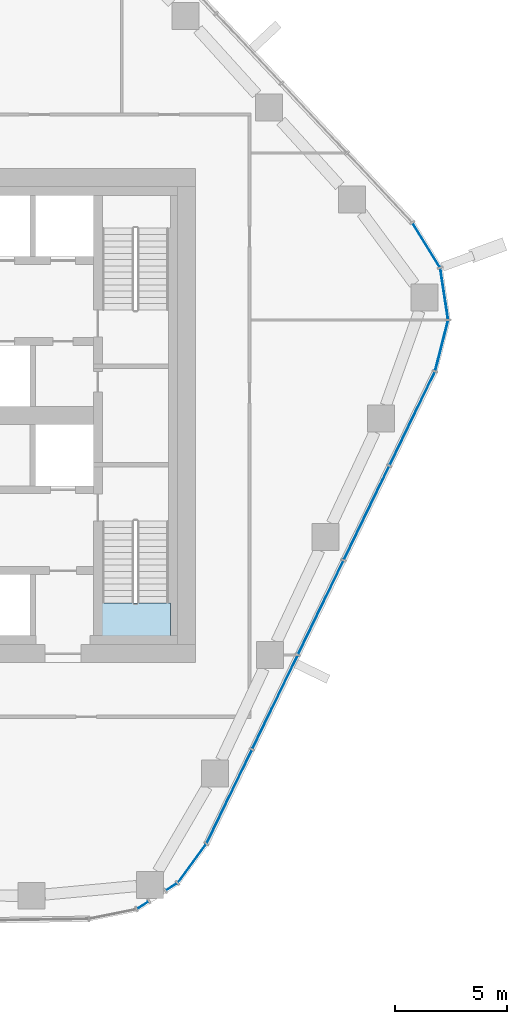
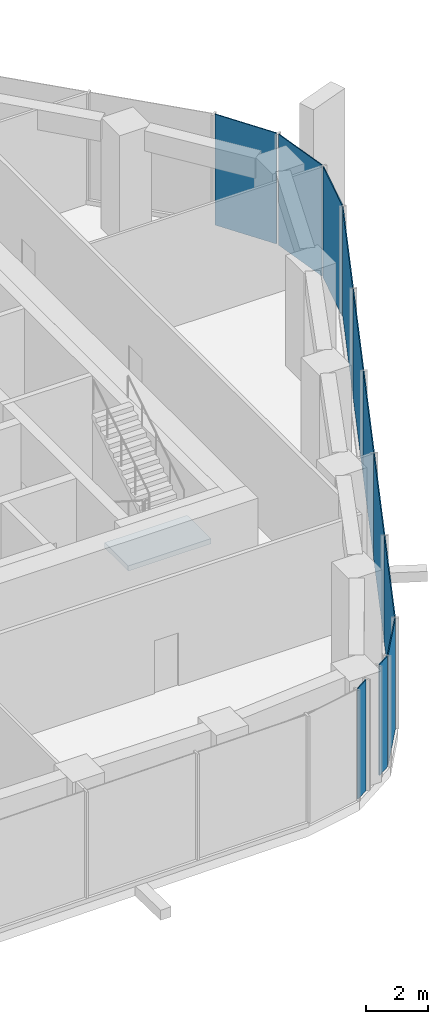
# One storey, part 8 of 16: 11 plates, 1 slab, 5 elements without a shape of their own.
"""IFC4 building model written with IfcOpenShell, lengths in metres."""

from ifc_helpers import new_model, si_unit, direction, frame, origin, origin_2d, place, context, subcontext, project, spatial, polyline, rectangle, outline, extrude, material, layer, layer_set, type_object, element, aggregate, save


model = new_model("IFC4")

# Units and contexts
model_context = context("Model", 3, precision=1e-05, world=origin(), true_north=direction((0.0, 1.0)))
body_context = subcontext(model_context, "Body", "Model", "MODEL_VIEW")
ifc_project = project(units=[si_unit("LENGTHUNIT", "METRE"), si_unit("AREAUNIT", "SQUARE_METRE"), si_unit("VOLUMEUNIT", "CUBIC_METRE"), si_unit("PLANEANGLEUNIT", "RADIAN"), si_unit("MASSUNIT", "GRAM", prefix="KILO")], contexts=[model_context])

# Site, building, storey
site_placement = place(None, origin())
site = spatial("IfcSite", under=ifc_project, at=site_placement, CompositionType="ELEMENT")
building_placement = place(site_placement, origin())
building = spatial("IfcBuilding", under=site, at=building_placement, Name="Dongbaek Canopy Tower", CompositionType="ELEMENT")
storey_placement = place(building_placement, frame((0.0, 0.0, 215.60009765625)))
storey = spatial("IfcBuildingStorey", under=building, at=storey_placement, Name="L45", CompositionType="ELEMENT", Elevation=215.60009765625)

# Curtain wall, plates
ifc_material_1 = material(Name="Aluminium 6063-T6 pale anodised", Category="aluminium")
ifc_layer_1 = layer(ifc_material_1, 0.25)
ifc_layer_set_1 = layer_set([ifc_layer_1], Name="CW-4 sky-lobby curtain wall")
curtain_wall_type = type_object("IfcCurtainWallType", Name="CW-4 sky-lobby curtain wall", PredefinedType="NOTDEFINED", material=ifc_layer_set_1)
curtain_wall_1_placement = place(storey_placement, origin())
curtain_wall_1 = element("IfcCurtainWall", 1, at=curtain_wall_1_placement, inside=storey, type_object=curtain_wall_type, Name="CW-4 curtain wall K0.1", PredefinedType="NOTDEFINED")
ifc_material_2 = material(Name="Clear laminated glass", Category="glass")
ifc_layer_2 = layer(ifc_material_2, 0.035888671875)
ifc_layer_set_2 = layer_set([ifc_layer_2], Name="CW-4 glazed panel 36")
plate_type = type_object("IfcPlateType", Name="CW-4 glazed panel 36", PredefinedType="CURTAIN_PANEL", material=ifc_layer_set_2)
plate_1_placement = place(storey_placement, frame((24.951416015625, 3.109130859375, 0.0), z_axis=(0.0, 0.0, 1.0), x_axis=(0.247361293199, 0.968923315143, 0.0)))
plate_1 = element("IfcPlate", 2, at=plate_1_placement, type_object=plate_type, Name="CW-4 panel K0.1.1.1", PredefinedType="CURTAIN_PANEL", context=body_context, shape_type="SweptSolid", body=[
    extrude(rectangle(XDim=2.26904296875, YDim=0.035888671875, at=origin_2d()), origin(), (0.0, 0.0, 1.0), 4.39990234375),
])
plate_2_placement = place(storey_placement, frame((25.06591796875, 5.416748046875, 0.0), z_axis=(0.0, 0.0, 1.0), x_axis=(-0.151055161959, 0.988525335055, 0.0)))
plate_2 = element("IfcPlate", 3, at=plate_2_placement, type_object=plate_type, Name="CW-4 panel K0.1.2.1", PredefinedType="CURTAIN_PANEL", context=body_context, shape_type="SweptSolid", body=[
    extrude(rectangle(XDim=2.2587890625, YDim=0.035888671875, at=origin_2d()), origin(), (0.0, 0.0, 1.0), 4.39990234375),
])
plate_3_placement = place(storey_placement, frame((24.267333984375, 7.584716796875, 0.0), z_axis=(0.0, 0.0, 1.0), x_axis=(-0.525435733202, 0.850833291705, 0.0)))
plate_3 = element("IfcPlate", 4, at=plate_3_placement, type_object=plate_type, Name="CW-4 panel K0.1.3.1", PredefinedType="CURTAIN_PANEL", context=body_context, shape_type="SweptSolid", body=[
    extrude(rectangle(XDim=2.26904296875, YDim=0.035888671875, at=origin_2d()), origin(), (0.0, 0.0, 1.0), 4.39990234375),
])
aggregate(curtain_wall_1, [plate_1, plate_2, plate_3])

# Curtain wall, plate
curtain_wall_2_placement = place(storey_placement, origin())
curtain_wall_2 = element("IfcCurtainWall", 5, at=curtain_wall_2_placement, inside=storey, type_object=curtain_wall_type, Name="CW-4 curtain wall K5.1a", PredefinedType="NOTDEFINED")
plate_4_placement = place(storey_placement, frame((11.653076171875, -21.79296875, 0.0), z_axis=(0.0, 0.0, 1.0), x_axis=(0.843153777496, 0.537672490922, 0.0)))
plate_4 = element("IfcPlate", 6, at=plate_4_placement, type_object=plate_type, Name="CW-4 panel K5.1a.2.1", PredefinedType="CURTAIN_PANEL", context=body_context, shape_type="SweptSolid", body=[
    extrude(rectangle(XDim=0.565185546875, YDim=0.035888671875, at=origin_2d()), origin(), (0.0, 0.0, 1.0), 4.39990234375),
])
aggregate(curtain_wall_2, [plate_4])

# Curtain wall, plates
curtain_wall_3_placement = place(storey_placement, origin())
curtain_wall_3 = element("IfcCurtainWall", 7, at=curtain_wall_3_placement, inside=storey, type_object=curtain_wall_type, Name="CW-4 curtain wall K5.1b", PredefinedType="NOTDEFINED")
plate_5_placement = place(storey_placement, frame((12.92578125, -20.981201171875, 0.0), z_axis=(0.0, 0.0, 1.0), x_axis=(0.843153777496, 0.537672490922, 0.0)))
plate_5 = element("IfcPlate", 8, at=plate_5_placement, type_object=plate_type, Name="CW-4 panel K5.1b.1.1", PredefinedType="CURTAIN_PANEL", context=body_context, shape_type="SweptSolid", body=[
    extrude(rectangle(XDim=0.54736328125, YDim=0.035888671875, at=origin_2d()), origin(), (0.0, 0.0, 1.0), 4.39990234375),
])
plate_6_placement = place(storey_placement, frame((13.83935546875, -19.935546875, 0.0), z_axis=(0.0, 0.0, 1.0), x_axis=(0.593077043948, 0.805145713484, 0.0)))
plate_6 = element("IfcPlate", 9, at=plate_6_placement, type_object=plate_type, Name="CW-4 panel K5.1b.2.1", PredefinedType="CURTAIN_PANEL", context=body_context, shape_type="SweptSolid", body=[
    extrude(rectangle(XDim=2.0751953125, YDim=0.035888671875, at=origin_2d()), origin(), (0.0, 0.0, 1.0), 4.39990234375),
])
aggregate(curtain_wall_3, [plate_5, plate_6])

curtain_wall_4_placement = place(storey_placement, origin())
curtain_wall_4 = element("IfcCurtainWall", 10, at=curtain_wall_4_placement, inside=storey, type_object=curtain_wall_type, Name="CW-4 curtain wall F5.1", PredefinedType="NOTDEFINED")
plate_7_placement = place(storey_placement, frame((15.4990234375, -16.962158203125, 0.1796875), z_axis=(0.0, 0.0, 1.0), x_axis=(0.435642318573, 0.900119864389, 0.0)))
plate_7 = element("IfcPlate", 11, at=plate_7_placement, type_object=plate_type, Name="CW-4 panel F5.1.1.1", PredefinedType="CURTAIN_PANEL", context=body_context, shape_type="SweptSolid", body=[
    extrude(rectangle(XDim=4.572509765625, YDim=0.035888671875, at=origin_2d()), origin(), (0.0, 0.0, 1.0), 4.219970703125),
])
plate_8_placement = place(storey_placement, frame((17.5341796875, -12.75732421875, 0.1796875), z_axis=(0.0, 0.0, 1.0), x_axis=(0.435642318573, 0.900119864389, 0.0)))
plate_8 = element("IfcPlate", 12, at=plate_8_placement, type_object=plate_type, Name="CW-4 panel F5.1.2.1", PredefinedType="CURTAIN_PANEL", context=body_context, shape_type="SweptSolid", body=[
    extrude(rectangle(XDim=4.581787109375, YDim=0.035888671875, at=origin_2d()), origin(), (0.0, 0.0, 1.0), 4.219970703125),
])
plate_9_placement = place(storey_placement, frame((19.571044921875, -8.548583984375, 0.1796875), z_axis=(0.0, 0.0, 1.0), x_axis=(0.435642318573, 0.900119864389, 0.0)))
plate_9 = element("IfcPlate", 13, at=plate_9_placement, type_object=plate_type, Name="CW-4 panel F5.1.3.1", PredefinedType="CURTAIN_PANEL", context=body_context, shape_type="SweptSolid", body=[
    extrude(rectangle(XDim=4.581787109375, YDim=0.035888671875, at=origin_2d()), origin(), (0.0, 0.0, 1.0), 4.219970703125),
])
plate_10_placement = place(storey_placement, frame((21.608154296875, -4.33984375, 0.1796875), z_axis=(0.0, 0.0, 1.0), x_axis=(0.435642318573, 0.900119864389, 0.0)))
plate_10 = element("IfcPlate", 14, at=plate_10_placement, type_object=plate_type, Name="CW-4 panel F5.1.4.1", PredefinedType="CURTAIN_PANEL", context=body_context, shape_type="SweptSolid", body=[
    extrude(rectangle(XDim=4.581787109375, YDim=0.035888671875, at=origin_2d()), origin(), (0.0, 0.0, 1.0), 4.219970703125),
])
plate_11_placement = place(storey_placement, frame((23.642822265625, -0.135498046875, 0.1796875), z_axis=(0.0, 0.0, 1.0), x_axis=(0.435642318573, 0.900119864389, 0.0)))
plate_11 = element("IfcPlate", 15, at=plate_11_placement, type_object=plate_type, Name="CW-4 panel F5.1.5.1", PredefinedType="CURTAIN_PANEL", context=body_context, shape_type="SweptSolid", body=[
    extrude(rectangle(XDim=4.57177734375, YDim=0.035888671875, at=origin_2d()), origin(), (0.0, 0.0, 1.0), 4.219970703125),
])
aggregate(curtain_wall_4, [plate_7, plate_8, plate_9, plate_10, plate_11])

# Stair, slab
ifc_material_3 = material(Name="Concrete C40/50", Category="concrete")
stair_type = type_object("IfcStairType", Name="Core exit stair", PredefinedType="HALF_TURN_STAIR", material=ifc_material_3)
stair_placement = place(storey_placement, origin())
stair = element("IfcStair", 16, at=stair_placement, inside=storey, type_object=stair_type, Name="L45 exit stair B", PredefinedType="HALF_TURN_STAIR")
ifc_material_4 = material(Name="Concrete C40/50", Category="concrete")
ifc_layer_3 = layer(ifc_material_4, 0.199951171875)
ifc_layer_set_3 = layer_set([ifc_layer_3], Name="Core stair landing 200")
slab_type = type_object("IfcSlabType", Name="Core stair landing 200", PredefinedType="LANDING", material=ifc_layer_set_3)
slab_placement = place(storey_placement, frame((0.0, 0.0, 2.2998046875)))
slab = element("IfcSlab", 17, at=slab_placement, type_object=slab_type, Name="ST-B landing 1", PredefinedType="LANDING", context=body_context, shape_type="SweptSolid", body=[
    extrude(outline(polyline([(9.77490234375, -8.340087890625), (9.77490234375, -9.875), (12.875, -9.875), (12.875, -8.340087890625), (9.77490234375, -8.340087890625)])), origin(), (0.0, 0.0, 1.0), 0.2001953125),
])
aggregate(stair, [slab])

save(model, "model.ifc")
